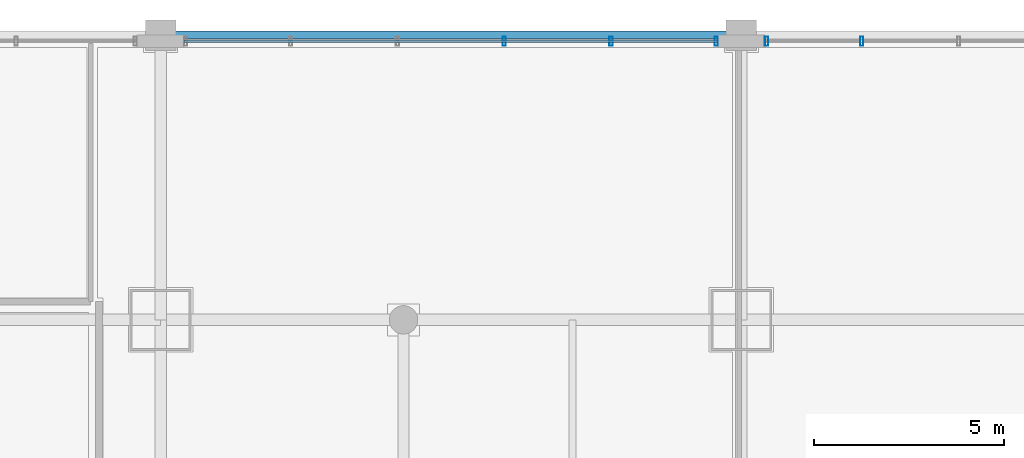
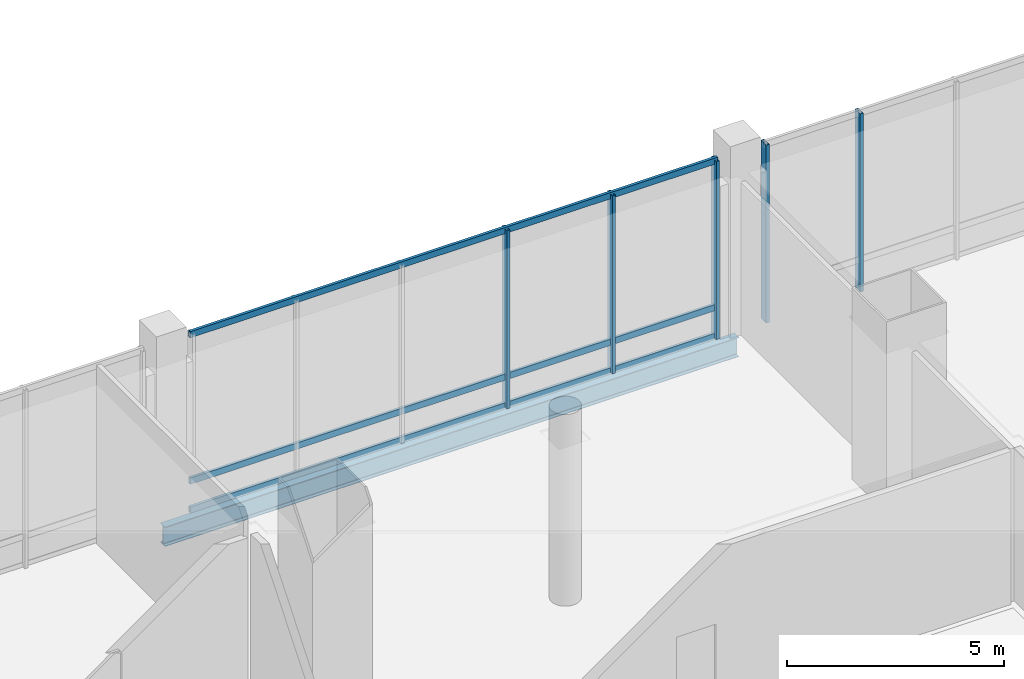
# One storey, part 14 of 35: 8 members, 1 beam, 2 elements without a shape of their own.
"""IFC4 building model written with IfcOpenShell, lengths in metres."""

from ifc_helpers import new_model, si_unit, direction, frame, origin, origin_2d, place, context, subcontext, project, spatial, hollow_rectangle, i_section, extrude, material, material_profile, profile_set, type_object, element, aggregate, save


model = new_model("IFC4")

# Units and contexts
model_context = context("Model", 3, precision=1e-05, world=origin(), true_north=direction((0.0, 1.0)))
body_context = subcontext(model_context, "Body", "Model", "MODEL_VIEW")
ifc_project = project(units=[si_unit("LENGTHUNIT", "METRE"), si_unit("AREAUNIT", "SQUARE_METRE"), si_unit("VOLUMEUNIT", "CUBIC_METRE"), si_unit("PLANEANGLEUNIT", "RADIAN"), si_unit("MASSUNIT", "GRAM", prefix="KILO")], contexts=[model_context])

# Site, building, storey
site_placement = place(None, origin())
site = spatial("IfcSite", under=ifc_project, at=site_placement, CompositionType="ELEMENT")
building_placement = place(site_placement, origin())
building = spatial("IfcBuilding", under=site, at=building_placement, Name="Punatoya Terracotta Tower", CompositionType="ELEMENT")
storey_placement = place(building_placement, frame((0.0, 0.0, 16.800048828125)))
storey = spatial("IfcBuildingStorey", under=building, at=storey_placement, Name="L03", CompositionType="ELEMENT", Elevation=16.800048828125)

# Beam
ifc_material_1 = material(Name="Steel S355", Category="steel")
ifc_material_profile_1 = material_profile(ifc_material_1, i_section(OverallWidth=0.2099609375, OverallDepth=0.550048828125, WebThickness=0.010986328125, FlangeThickness=0.01708984375, FilletRadius=0.01806640625, at=origin_2d()))
ifc_profile_set_1 = profile_set([ifc_material_profile_1], Name="Steel S355")
beam_type = type_object("IfcBeamType", Name="BM-SPN-550", PredefinedType="SPANDREL", material=ifc_profile_set_1)
beam_placement = place(storey_placement, frame((3.800048828125, 25.0, -0.554931640625), z_axis=(1.0, 0.0, 0.0), x_axis=(0.0, 1.0, 0.0)))
element("IfcBeam", 1, at=beam_placement, inside=storey, type_object=beam_type, Name="BM-L03-MIDH-3", PredefinedType="SPANDREL", context=body_context, shape_type="SweptSolid", body=[
    extrude(i_section(OverallWidth=0.2099609375, OverallDepth=0.550048828125, WebThickness=0.010986328125, FlangeThickness=0.01708984375, FilletRadius=0.01806640625, at=origin_2d()), origin(), (0.0, 0.0, 1.0), 15.300048828125),
])

# Curtain wall, members
ifc_material_2 = material(Name="Aluminium 6063-T6 + Double Low-E Glass", Category="aluminium")
curtain_wall_type = type_object("IfcCurtainWallType", Name="CW-POD", PredefinedType="NOTDEFINED", material=ifc_material_2)
curtain_wall_1_placement = place(storey_placement, origin())
curtain_wall_1 = element("IfcCurtainWall", 2, at=curtain_wall_1_placement, inside=storey, type_object=curtain_wall_type, Name="L03 Curtain Wall CWP-L03-N5", PredefinedType="NOTDEFINED")
ifc_material_3 = material(Name="Aluminium 6063-T6", Category="aluminium")
ifc_material_profile_2 = material_profile(ifc_material_3, hollow_rectangle(XDim=0.0849609375, YDim=0.239990234375, WallThickness=0.0048828125, at=origin_2d()))
ifc_profile_set_2 = profile_set([ifc_material_profile_2], Name="Aluminium 6063-T6")
member_type_1 = type_object("IfcMemberType", Name="CW-MUL-POD", PredefinedType="MULLION", material=ifc_profile_set_2)
member_1_placement = place(storey_placement, frame((18.43505859375, 24.840087890625, 0.0), z_axis=(0.0, 0.0, 1.0), x_axis=(1.0, 0.0, 0.0)))
member_1 = element("IfcMember", 3, at=member_1_placement, type_object=member_type_1, Name="CWP-L03-N5 Mullion 00", PredefinedType="MULLION", context=body_context, shape_type="SweptSolid", body=[
    extrude(hollow_rectangle(XDim=0.0849609375, YDim=0.239990234375, WallThickness=0.0048828125, at=origin_2d()), origin(), (0.0, 0.0, 1.0), 5.02001953125),
])
member_2_placement = place(storey_placement, frame((15.66796875, 24.840087890625, 0.0), z_axis=(0.0, 0.0, 1.0), x_axis=(1.0, 0.0, 0.0)))
member_2 = element("IfcMember", 4, at=member_2_placement, type_object=member_type_1, Name="CWP-L03-N5 Mullion 01", PredefinedType="MULLION", context=body_context, shape_type="SweptSolid", body=[
    extrude(hollow_rectangle(XDim=0.0849609375, YDim=0.239990234375, WallThickness=0.0048828125, at=origin_2d()), origin(), (0.0, 0.0, 1.0), 5.02001953125),
])
member_3_placement = place(storey_placement, frame((12.85595703125, 24.840087890625, 0.0), z_axis=(0.0, 0.0, 1.0), x_axis=(1.0, 0.0, 0.0)))
member_3 = element("IfcMember", 5, at=member_3_placement, type_object=member_type_1, Name="CWP-L03-N5 Mullion 02", PredefinedType="MULLION", context=body_context, shape_type="SweptSolid", body=[
    extrude(hollow_rectangle(XDim=0.0849609375, YDim=0.239990234375, WallThickness=0.0048828125, at=origin_2d()), origin(), (0.0, 0.0, 1.0), 5.02001953125),
])

curtain_wall_2_placement = place(storey_placement, origin())
curtain_wall_2 = element("IfcCurtainWall", 6, at=curtain_wall_2_placement, inside=storey, type_object=curtain_wall_type, Name="L03 Curtain Wall CWP-L03-N6", PredefinedType="NOTDEFINED")
member_4_placement = place(storey_placement, frame((22.273193359375, 24.840087890625, 0.0), z_axis=(0.0, 0.0, 1.0), x_axis=(1.0, 0.0, 0.0)))
member_4 = element("IfcMember", 7, at=member_4_placement, type_object=member_type_1, Name="CWP-L03-N6 Mullion 02", PredefinedType="MULLION", context=body_context, shape_type="SweptSolid", body=[
    extrude(hollow_rectangle(XDim=0.0849609375, YDim=0.239990234375, WallThickness=0.0048828125, at=origin_2d()), origin(), (0.0, 0.0, 1.0), 5.02001953125),
])
member_5_placement = place(storey_placement, frame((19.764892578125, 24.840087890625, 0.0), z_axis=(0.0, 0.0, 1.0), x_axis=(1.0, 0.0, 0.0)))
member_5 = element("IfcMember", 8, at=member_5_placement, type_object=member_type_1, Name="CWP-L03-N6 Mullion 03", PredefinedType="MULLION", context=body_context, shape_type="SweptSolid", body=[
    extrude(hollow_rectangle(XDim=0.0849609375, YDim=0.239990234375, WallThickness=0.0048828125, at=origin_2d()), origin(), (0.0, 0.0, 1.0), 5.02001953125),
])
aggregate(curtain_wall_2, [member_4, member_5])

# Member
ifc_material_profile_3 = material_profile(ifc_material_3, hollow_rectangle(XDim=0.074951171875, YDim=0.175048828125, WallThickness=0.00439453125, at=origin_2d()))
ifc_profile_set_3 = profile_set([ifc_material_profile_3], Name="Aluminium 6063-T6")
member_type_2 = type_object("IfcMemberType", Name="CW-TRN-POD", PredefinedType="USERDEFINED", material=ifc_profile_set_3)
member_6_placement = place(storey_placement, frame((18.47998046875, 24.840087890625, 0.0400390625), z_axis=(-1.0, 0.0, 0.0), x_axis=(0.0, -1.0, 0.0)))
member_6 = element("IfcMember", 9, at=member_6_placement, type_object=member_type_2, Name="CWP-L03-N5 Transom 1", ObjectType="TRANSOM", PredefinedType="USERDEFINED", context=body_context, shape_type="SweptSolid", body=[
    extrude(hollow_rectangle(XDim=0.074951171875, YDim=0.175048828125, WallThickness=0.00439453125, at=origin_2d()), origin(), (0.0, 0.0, 1.0), 14.06005859375),
])

member_7_placement = place(storey_placement, frame((18.47998046875, 24.840087890625, 0.849853515625), z_axis=(-1.0, 0.0, 0.0), x_axis=(0.0, -1.0, 0.0)))
member_7 = element("IfcMember", 10, at=member_7_placement, type_object=member_type_2, Name="CWP-L03-N5 Transom 2", ObjectType="TRANSOM", PredefinedType="USERDEFINED", context=body_context, shape_type="SweptSolid", body=[
    extrude(hollow_rectangle(XDim=0.074951171875, YDim=0.175048828125, WallThickness=0.00439453125, at=origin_2d()), origin(), (0.0, 0.0, 1.0), 14.06005859375),
])

member_8_placement = place(storey_placement, frame((18.47998046875, 24.840087890625, 4.97998046875), z_axis=(-1.0, 0.0, 0.0), x_axis=(0.0, -1.0, 0.0)))
member_8 = element("IfcMember", 11, at=member_8_placement, type_object=member_type_2, Name="CWP-L03-N5 Transom 3", ObjectType="TRANSOM", PredefinedType="USERDEFINED", context=body_context, shape_type="SweptSolid", body=[
    extrude(hollow_rectangle(XDim=0.074951171875, YDim=0.175048828125, WallThickness=0.00439453125, at=origin_2d()), origin(), (0.0, 0.0, 1.0), 14.06005859375),
])

aggregate(curtain_wall_1, [member_1, member_2, member_3, member_6, member_7, member_8])

save(model, "model.ifc")
